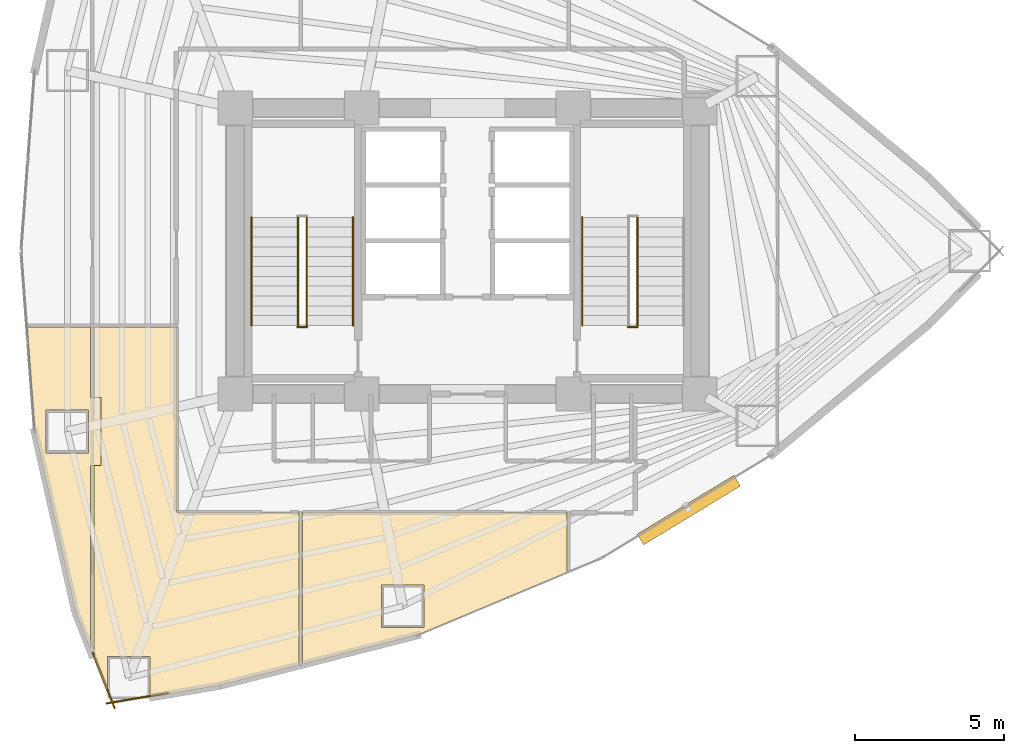
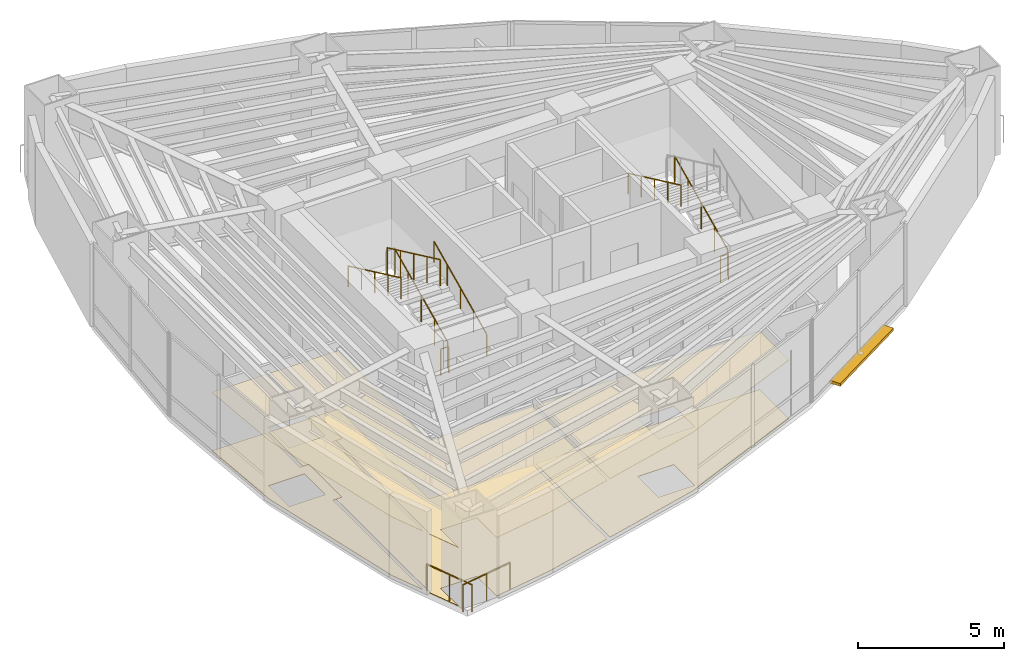
# One storey, part 16 of 17: 10 railings, 6 coverings, 1 shading device.
"""IFC4 building model written with IfcOpenShell, lengths in metres."""

from ifc_helpers import new_model, si_unit, direction, frame, origin, origin_2d, place, context, subcontext, project, spatial, polyline, rectangle, circle, outline, extrude, material, layer, layer_set, type_object, element, save


model = new_model("IFC4")

# Units and contexts
model_context = context("Model", 3, precision=1e-05, world=origin(), true_north=direction((0.0, 1.0)))
body_context = subcontext(model_context, "Body", "Model", "MODEL_VIEW")
ifc_project = project(units=[si_unit("LENGTHUNIT", "METRE"), si_unit("AREAUNIT", "SQUARE_METRE"), si_unit("VOLUMEUNIT", "CUBIC_METRE"), si_unit("PLANEANGLEUNIT", "RADIAN"), si_unit("MASSUNIT", "GRAM", prefix="KILO")], contexts=[model_context])

# Site, building, storey
site_placement = place(None, origin())
site = spatial("IfcSite", under=ifc_project, at=site_placement, CompositionType="ELEMENT")
building_placement = place(site_placement, origin())
building = spatial("IfcBuilding", under=site, at=building_placement, Name="Menara Vayukalpa", CompositionType="ELEMENT")
storey_placement = place(building_placement, frame((0.0, 0.0, 46.199951171875)))
storey = spatial("IfcBuildingStorey", under=building, at=storey_placement, Name="L10", CompositionType="ELEMENT", Elevation=46.199951171875)

# Coverings
ifc_material_1 = material(Name="Mineral Fibre Acoustic Ceiling Tile", Category="masonry")
ifc_layer_1 = layer(ifc_material_1, 0.02490234375)
ifc_layer_set_1 = layer_set([ifc_layer_1], Name="Mineral Fibre Acoustic Ceiling Tile")
covering_type_1 = type_object("IfcCoveringType", Name="COV-CLG1", PredefinedType="CEILING", material=ifc_layer_set_1)
covering_1_placement = place(storey_placement, frame((0.0, 0.0, 2.449951171875)))
element("IfcCovering", 1, at=covering_1_placement, inside=storey, type_object=covering_type_1, Name="L10 Corporate Training Classroom Acoustic Ceiling", PredefinedType="CEILING", context=body_context, shape_type="SweptSolid", body=[
    extrude(outline(polyline([(12.43701171875, 9.884521484375), (11.07421875, 15.941162109375), (11.073974609375, 15.942626953125), (10.8125, 19.42919921875), (10.8125, 19.43017578125), (10.8125, 19.43115234375), (10.812744140625, 19.43212890625), (10.81298828125, 19.43310546875), (10.813232421875, 19.43408203125), (10.813720703125, 19.434814453125), (10.814208984375, 19.435791015625), (10.814697265625, 19.436279296875), (10.8154296875, 19.43701171875), (10.816162109375, 19.437744140625), (10.81689453125, 19.4384765625), (10.81787109375, 19.43896484375), (10.818603515625, 19.439208984375), (10.819580078125, 19.439697265625), (10.820556640625, 19.439697265625), (10.821533203125, 19.43994140625), (10.822509765625, 19.43994140625), (12.929931640625, 19.43994140625), (12.930908203125, 19.43994140625), (12.931884765625, 19.439697265625), (12.932861328125, 19.439697265625), (12.933837890625, 19.439208984375), (12.934814453125, 19.438720703125), (12.935546875, 19.438232421875), (12.936279296875, 19.437744140625), (12.93701171875, 19.43701171875), (12.937744140625, 19.436279296875), (12.938232421875, 19.435546875), (12.938720703125, 19.434814453125), (12.939208984375, 19.433837890625), (12.939697265625, 19.432861328125), (12.939697265625, 19.431884765625), (12.93994140625, 19.430908203125), (12.93994140625, 19.429931640625), (12.93994140625, 17.075439453125), (13.29931640625, 17.075439453125), (13.29931640625, 14.805419921875), (12.93994140625, 14.805419921875), (12.93994140625, 8.65625), (12.93994140625, 8.6552734375), (12.939697265625, 8.654296875), (12.939697265625, 8.6533203125), (12.939208984375, 8.65234375), (12.938720703125, 8.651611328125), (12.938232421875, 8.650634765625), (12.937744140625, 8.64990234375), (12.93701171875, 8.649169921875), (12.936279296875, 8.6484375), (12.935546875, 8.64794921875), (12.9345703125, 8.6474609375), (12.933837890625, 8.64697265625), (12.932861328125, 8.646728515625), (12.931884765625, 8.646484375), (12.930908203125, 8.646240234375), (12.929931640625, 8.646240234375), (12.928955078125, 8.646484375), (12.927978515625, 8.646484375), (12.927001953125, 8.646728515625), (12.926025390625, 8.647216796875), (12.92529296875, 8.6474609375), (12.92431640625, 8.648193359375), (12.923583984375, 8.648681640625), (12.9228515625, 8.6494140625), (12.922119140625, 8.650146484375), (12.921630859375, 8.65087890625), (12.921142578125, 8.651611328125), (12.920654296875, 8.652587890625), (12.4375, 9.883056640625), (12.437255859375, 9.8837890625), (12.43701171875, 9.884521484375)]), holes=[polyline([(12.879150390625, 16.655517578125), (11.44921875, 16.655517578125), (11.44921875, 15.225341796875), (12.879150390625, 15.225341796875), (12.879150390625, 16.655517578125)])]), origin(), (0.0, 0.0, 1.0), 0.025146484375),
])
covering_2_placement = place(storey_placement, frame((0.0, 0.0, 2.449951171875)))
element("IfcCovering", 2, at=covering_2_placement, inside=storey, type_object=covering_type_1, Name="L10 Corporate Training Classroom Acoustic Ceiling", PredefinedType="CEILING", context=body_context, shape_type="SweptSolid", body=[
    extrude(outline(polyline([(13.041748046875, 8.344482421875), (13.04150390625, 8.345458984375), (13.041015625, 8.346435546875), (13.041015625, 8.347412109375), (13.041015625, 8.348388671875), (13.041015625, 8.349609375), (13.041259765625, 8.3505859375), (13.04150390625, 8.3515625), (13.0419921875, 8.352294921875), (13.04248046875, 8.353271484375), (13.04296875, 8.354248046875), (13.043701171875, 8.35498046875), (13.04638671875, 8.35791015625), (13.0498046875, 8.36279296875), (13.052978515625, 8.36767578125), (13.055419921875, 8.373046875), (13.057373046875, 8.378662109375), (13.058837890625, 8.384521484375), (13.059814453125, 8.39013671875), (13.06005859375, 8.396240234375), (13.06005859375, 14.805419921875), (11.606689453125, 14.805419921875), (11.51220703125, 15.225341796875), (12.879150390625, 15.225341796875), (12.879150390625, 16.655517578125), (11.44921875, 16.655517578125), (11.44921875, 15.5048828125), (11.341796875, 15.981689453125), (11.260009765625, 17.075439453125), (13.06005859375, 17.075439453125), (13.06005859375, 19.429931640625), (13.06005859375, 19.430908203125), (13.060302734375, 19.431884765625), (13.060302734375, 19.432861328125), (13.060791015625, 19.433837890625), (13.061279296875, 19.434814453125), (13.061767578125, 19.435546875), (13.062255859375, 19.436279296875), (13.06298828125, 19.43701171875), (13.063720703125, 19.437744140625), (13.064453125, 19.438232421875), (13.065185546875, 19.438720703125), (13.066162109375, 19.439208984375), (13.067138671875, 19.439697265625), (13.068115234375, 19.439697265625), (13.069091796875, 19.43994140625), (13.070068359375, 19.43994140625), (15.820068359375, 19.43994140625), (15.821044921875, 19.43994140625), (15.822021484375, 19.439697265625), (15.822998046875, 19.439697265625), (15.82373046875, 19.439208984375), (15.82470703125, 19.438720703125), (15.82568359375, 19.438232421875), (15.826416015625, 19.437744140625), (15.8271484375, 19.43701171875), (15.82763671875, 19.436279296875), (15.828369140625, 19.435546875), (15.828857421875, 19.434814453125), (15.8291015625, 19.433837890625), (15.82958984375, 19.432861328125), (15.829833984375, 19.431884765625), (15.830078125, 19.430908203125), (15.830078125, 19.429931640625), (15.830078125, 13.290283203125), (15.830322265625, 13.283203125), (15.831298828125, 13.2763671875), (15.8330078125, 13.269775390625), (15.835205078125, 13.26318359375), (15.838134765625, 13.257080078125), (15.841796875, 13.251220703125), (15.845947265625, 13.24560546875), (15.8505859375, 13.240478515625), (15.85546875, 13.236083984375), (15.861083984375, 13.231689453125), (15.866943359375, 13.228271484375), (15.873291015625, 13.225341796875), (15.879638671875, 13.222900390625), (15.88623046875, 13.22119140625), (15.893310546875, 13.220458984375), (15.900390625, 13.219970703125), (19.929931640625, 13.219970703125), (19.930908203125, 13.219970703125), (19.931884765625, 13.2197265625), (19.932861328125, 13.219482421875), (19.933837890625, 13.21923828125), (19.934814453125, 13.21875), (19.935546875, 13.21826171875), (19.936279296875, 13.2177734375), (19.93701171875, 13.217041015625), (19.937744140625, 13.21630859375), (19.938232421875, 13.215576171875), (19.938720703125, 13.214599609375), (19.939208984375, 13.2138671875), (19.939697265625, 13.212890625), (19.939697265625, 13.2119140625), (19.93994140625, 13.2109375), (19.93994140625, 13.2099609375), (19.93994140625, 8.100341796875), (19.93994140625, 8.099365234375), (19.939697265625, 8.098388671875), (19.939453125, 8.097412109375), (19.939208984375, 8.096435546875), (19.938720703125, 8.095458984375), (19.938232421875, 8.0947265625), (19.9375, 8.093994140625), (19.93701171875, 8.093017578125), (19.93603515625, 8.092529296875), (19.935302734375, 8.091796875), (19.934326171875, 8.09130859375), (19.933349609375, 8.091064453125), (19.9326171875, 8.0908203125), (17.285888671875, 7.415771484375), (17.28515625, 7.41552734375), (14.9326171875, 7.01611328125), (14.9326171875, 8.380615234375), (13.502685546875, 8.380615234375), (13.502685546875, 7.1708984375), (13.041748046875, 8.344482421875)])), origin(), (0.0, 0.0, 1.0), 0.025146484375),
])
covering_3_placement = place(storey_placement, frame((0.0, 0.0, 2.449951171875)))
element("IfcCovering", 3, at=covering_3_placement, inside=storey, type_object=covering_type_1, Name="L10 Corporate Training Classroom Acoustic Ceiling", PredefinedType="CEILING", context=body_context, shape_type="SweptSolid", body=[
    extrude(outline(polyline([(20.072509765625, 8.12646484375), (20.071533203125, 8.126220703125), (20.070556640625, 8.126220703125), (20.069580078125, 8.126220703125), (20.068603515625, 8.126220703125), (20.067626953125, 8.12646484375), (20.06689453125, 8.126708984375), (20.06591796875, 8.126953125), (20.065185546875, 8.12744140625), (20.064208984375, 8.1279296875), (20.0634765625, 8.12841796875), (20.062744140625, 8.129150390625), (20.062255859375, 8.1298828125), (20.0615234375, 8.130615234375), (20.06103515625, 8.131591796875), (20.060791015625, 8.13232421875), (20.060302734375, 8.13330078125), (20.060302734375, 8.13427734375), (20.06005859375, 8.135009765625), (20.06005859375, 8.135986328125), (20.06005859375, 13.2099609375), (20.06005859375, 13.2109375), (20.060302734375, 13.2119140625), (20.060302734375, 13.212890625), (20.060791015625, 13.2138671875), (20.061279296875, 13.214599609375), (20.061767578125, 13.215576171875), (20.062255859375, 13.21630859375), (20.06298828125, 13.217041015625), (20.063720703125, 13.2177734375), (20.064453125, 13.21826171875), (20.065185546875, 13.21875), (20.066162109375, 13.21923828125), (20.067138671875, 13.219482421875), (20.068115234375, 13.2197265625), (20.069091796875, 13.219970703125), (20.070068359375, 13.219970703125), (28.929931640625, 13.219970703125), (28.930908203125, 13.219970703125), (28.931884765625, 13.2197265625), (28.932861328125, 13.219482421875), (28.933837890625, 13.21923828125), (28.934814453125, 13.21875), (28.935546875, 13.21826171875), (28.936279296875, 13.2177734375), (28.93701171875, 13.217041015625), (28.937744140625, 13.21630859375), (28.938232421875, 13.215576171875), (28.938720703125, 13.214599609375), (28.939208984375, 13.2138671875), (28.939697265625, 13.212890625), (28.939697265625, 13.2119140625), (28.93994140625, 13.2109375), (28.93994140625, 13.2099609375), (28.93994140625, 11.21484375), (28.93994140625, 11.2138671875), (28.939697265625, 11.212890625), (28.939697265625, 11.2119140625), (28.939208984375, 11.211181640625), (28.938720703125, 11.210205078125), (28.938232421875, 11.20947265625), (28.937744140625, 11.20849609375), (28.93701171875, 11.207763671875), (28.936279296875, 11.207275390625), (28.935546875, 11.20654296875), (28.934814453125, 11.2060546875), (28.933837890625, 11.205810546875), (23.916015625, 9.106689453125), (23.914794921875, 9.106201171875), (20.072509765625, 8.12646484375)]), holes=[polyline([(24.134521484375, 10.792236328125), (22.704345703125, 10.792236328125), (22.704345703125, 9.3623046875), (24.134521484375, 9.3623046875), (24.134521484375, 10.792236328125)])]), origin(), (0.0, 0.0, 1.0), 0.025146484375),
])
ifc_material_2 = material(Name="Porcelain Stoneware Floor Tile", Category="masonry")
ifc_layer_2 = layer(ifc_material_2, 0.02001953125)
ifc_layer_set_2 = layer_set([ifc_layer_2], Name="Porcelain Stoneware Floor Tile")
covering_type_2 = type_object("IfcCoveringType", Name="COV-FLR1", PredefinedType="FLOORING", material=ifc_layer_set_2)
covering_4_placement = place(storey_placement, origin())
element("IfcCovering", 4, at=covering_4_placement, inside=storey, type_object=covering_type_2, Name="L10 Corporate Training Classroom Porcelain Flooring", PredefinedType="FLOORING", context=body_context, shape_type="SweptSolid", body=[
    extrude(outline(polyline([(12.43701171875, 9.884521484375), (11.07421875, 15.941162109375), (11.073974609375, 15.942626953125), (10.8125, 19.42919921875), (10.8125, 19.43017578125), (10.8125, 19.43115234375), (10.812744140625, 19.43212890625), (10.81298828125, 19.43310546875), (10.813232421875, 19.43408203125), (10.813720703125, 19.434814453125), (10.814208984375, 19.435791015625), (10.814697265625, 19.436279296875), (10.8154296875, 19.43701171875), (10.816162109375, 19.437744140625), (10.81689453125, 19.4384765625), (10.81787109375, 19.43896484375), (10.818603515625, 19.439208984375), (10.819580078125, 19.439697265625), (10.820556640625, 19.439697265625), (10.821533203125, 19.43994140625), (10.822509765625, 19.43994140625), (12.929931640625, 19.43994140625), (12.930908203125, 19.43994140625), (12.931884765625, 19.439697265625), (12.932861328125, 19.439697265625), (12.933837890625, 19.439208984375), (12.934814453125, 19.438720703125), (12.935546875, 19.438232421875), (12.936279296875, 19.437744140625), (12.93701171875, 19.43701171875), (12.937744140625, 19.436279296875), (12.938232421875, 19.435546875), (12.938720703125, 19.434814453125), (12.939208984375, 19.433837890625), (12.939697265625, 19.432861328125), (12.939697265625, 19.431884765625), (12.93994140625, 19.430908203125), (12.93994140625, 19.429931640625), (12.93994140625, 17.075439453125), (13.29931640625, 17.075439453125), (13.29931640625, 14.805419921875), (12.93994140625, 14.805419921875), (12.93994140625, 8.65625), (12.93994140625, 8.6552734375), (12.939697265625, 8.654296875), (12.939697265625, 8.6533203125), (12.939208984375, 8.65234375), (12.938720703125, 8.651611328125), (12.938232421875, 8.650634765625), (12.937744140625, 8.64990234375), (12.93701171875, 8.649169921875), (12.936279296875, 8.6484375), (12.935546875, 8.64794921875), (12.9345703125, 8.6474609375), (12.933837890625, 8.64697265625), (12.932861328125, 8.646728515625), (12.931884765625, 8.646484375), (12.930908203125, 8.646240234375), (12.929931640625, 8.646240234375), (12.928955078125, 8.646484375), (12.927978515625, 8.646484375), (12.927001953125, 8.646728515625), (12.926025390625, 8.647216796875), (12.92529296875, 8.6474609375), (12.92431640625, 8.648193359375), (12.923583984375, 8.648681640625), (12.9228515625, 8.6494140625), (12.922119140625, 8.650146484375), (12.921630859375, 8.65087890625), (12.921142578125, 8.651611328125), (12.920654296875, 8.652587890625), (12.4375, 9.883056640625), (12.437255859375, 9.8837890625), (12.43701171875, 9.884521484375)]), holes=[polyline([(12.879150390625, 16.655517578125), (11.44921875, 16.655517578125), (11.44921875, 15.225341796875), (12.879150390625, 15.225341796875), (12.879150390625, 16.655517578125)])]), origin(), (0.0, 0.0, 1.0), 0.02001953125),
])
covering_5_placement = place(storey_placement, origin())
element("IfcCovering", 5, at=covering_5_placement, inside=storey, type_object=covering_type_2, Name="L10 Corporate Training Classroom Porcelain Flooring", PredefinedType="FLOORING", context=body_context, shape_type="SweptSolid", body=[
    extrude(outline(polyline([(13.041748046875, 8.344482421875), (13.04150390625, 8.345458984375), (13.041015625, 8.346435546875), (13.041015625, 8.347412109375), (13.041015625, 8.348388671875), (13.041015625, 8.349609375), (13.041259765625, 8.3505859375), (13.04150390625, 8.3515625), (13.0419921875, 8.352294921875), (13.04248046875, 8.353271484375), (13.04296875, 8.354248046875), (13.043701171875, 8.35498046875), (13.04638671875, 8.35791015625), (13.0498046875, 8.36279296875), (13.052978515625, 8.36767578125), (13.055419921875, 8.373046875), (13.057373046875, 8.378662109375), (13.058837890625, 8.384521484375), (13.059814453125, 8.39013671875), (13.06005859375, 8.396240234375), (13.06005859375, 14.805419921875), (11.606689453125, 14.805419921875), (11.51220703125, 15.225341796875), (12.879150390625, 15.225341796875), (12.879150390625, 16.655517578125), (11.44921875, 16.655517578125), (11.44921875, 15.5048828125), (11.341796875, 15.981689453125), (11.260009765625, 17.075439453125), (13.06005859375, 17.075439453125), (13.06005859375, 19.429931640625), (13.06005859375, 19.430908203125), (13.060302734375, 19.431884765625), (13.060302734375, 19.432861328125), (13.060791015625, 19.433837890625), (13.061279296875, 19.434814453125), (13.061767578125, 19.435546875), (13.062255859375, 19.436279296875), (13.06298828125, 19.43701171875), (13.063720703125, 19.437744140625), (13.064453125, 19.438232421875), (13.065185546875, 19.438720703125), (13.066162109375, 19.439208984375), (13.067138671875, 19.439697265625), (13.068115234375, 19.439697265625), (13.069091796875, 19.43994140625), (13.070068359375, 19.43994140625), (15.820068359375, 19.43994140625), (15.821044921875, 19.43994140625), (15.822021484375, 19.439697265625), (15.822998046875, 19.439697265625), (15.82373046875, 19.439208984375), (15.82470703125, 19.438720703125), (15.82568359375, 19.438232421875), (15.826416015625, 19.437744140625), (15.8271484375, 19.43701171875), (15.82763671875, 19.436279296875), (15.828369140625, 19.435546875), (15.828857421875, 19.434814453125), (15.8291015625, 19.433837890625), (15.82958984375, 19.432861328125), (15.829833984375, 19.431884765625), (15.830078125, 19.430908203125), (15.830078125, 19.429931640625), (15.830078125, 13.290283203125), (15.830322265625, 13.283203125), (15.831298828125, 13.2763671875), (15.8330078125, 13.269775390625), (15.835205078125, 13.26318359375), (15.838134765625, 13.257080078125), (15.841796875, 13.251220703125), (15.845947265625, 13.24560546875), (15.8505859375, 13.240478515625), (15.85546875, 13.236083984375), (15.861083984375, 13.231689453125), (15.866943359375, 13.228271484375), (15.873291015625, 13.225341796875), (15.879638671875, 13.222900390625), (15.88623046875, 13.22119140625), (15.893310546875, 13.220458984375), (15.900390625, 13.219970703125), (19.929931640625, 13.219970703125), (19.930908203125, 13.219970703125), (19.931884765625, 13.2197265625), (19.932861328125, 13.219482421875), (19.933837890625, 13.21923828125), (19.934814453125, 13.21875), (19.935546875, 13.21826171875), (19.936279296875, 13.2177734375), (19.93701171875, 13.217041015625), (19.937744140625, 13.21630859375), (19.938232421875, 13.215576171875), (19.938720703125, 13.214599609375), (19.939208984375, 13.2138671875), (19.939697265625, 13.212890625), (19.939697265625, 13.2119140625), (19.93994140625, 13.2109375), (19.93994140625, 13.2099609375), (19.93994140625, 8.100341796875), (19.93994140625, 8.099365234375), (19.939697265625, 8.098388671875), (19.939453125, 8.097412109375), (19.939208984375, 8.096435546875), (19.938720703125, 8.095458984375), (19.938232421875, 8.0947265625), (19.9375, 8.093994140625), (19.93701171875, 8.093017578125), (19.93603515625, 8.092529296875), (19.935302734375, 8.091796875), (19.934326171875, 8.09130859375), (19.933349609375, 8.091064453125), (19.9326171875, 8.0908203125), (17.285888671875, 7.415771484375), (17.28515625, 7.41552734375), (14.9326171875, 7.01611328125), (14.9326171875, 8.380615234375), (13.502685546875, 8.380615234375), (13.502685546875, 7.1708984375), (13.041748046875, 8.344482421875)])), origin(), (0.0, 0.0, 1.0), 0.02001953125),
])
covering_6_placement = place(storey_placement, origin())
element("IfcCovering", 6, at=covering_6_placement, inside=storey, type_object=covering_type_2, Name="L10 Corporate Training Classroom Porcelain Flooring", PredefinedType="FLOORING", context=body_context, shape_type="SweptSolid", body=[
    extrude(outline(polyline([(20.072509765625, 8.12646484375), (20.071533203125, 8.126220703125), (20.070556640625, 8.126220703125), (20.069580078125, 8.126220703125), (20.068603515625, 8.126220703125), (20.067626953125, 8.12646484375), (20.06689453125, 8.126708984375), (20.06591796875, 8.126953125), (20.065185546875, 8.12744140625), (20.064208984375, 8.1279296875), (20.0634765625, 8.12841796875), (20.062744140625, 8.129150390625), (20.062255859375, 8.1298828125), (20.0615234375, 8.130615234375), (20.06103515625, 8.131591796875), (20.060791015625, 8.13232421875), (20.060302734375, 8.13330078125), (20.060302734375, 8.13427734375), (20.06005859375, 8.135009765625), (20.06005859375, 8.135986328125), (20.06005859375, 13.2099609375), (20.06005859375, 13.2109375), (20.060302734375, 13.2119140625), (20.060302734375, 13.212890625), (20.060791015625, 13.2138671875), (20.061279296875, 13.214599609375), (20.061767578125, 13.215576171875), (20.062255859375, 13.21630859375), (20.06298828125, 13.217041015625), (20.063720703125, 13.2177734375), (20.064453125, 13.21826171875), (20.065185546875, 13.21875), (20.066162109375, 13.21923828125), (20.067138671875, 13.219482421875), (20.068115234375, 13.2197265625), (20.069091796875, 13.219970703125), (20.070068359375, 13.219970703125), (28.929931640625, 13.219970703125), (28.930908203125, 13.219970703125), (28.931884765625, 13.2197265625), (28.932861328125, 13.219482421875), (28.933837890625, 13.21923828125), (28.934814453125, 13.21875), (28.935546875, 13.21826171875), (28.936279296875, 13.2177734375), (28.93701171875, 13.217041015625), (28.937744140625, 13.21630859375), (28.938232421875, 13.215576171875), (28.938720703125, 13.214599609375), (28.939208984375, 13.2138671875), (28.939697265625, 13.212890625), (28.939697265625, 13.2119140625), (28.93994140625, 13.2109375), (28.93994140625, 13.2099609375), (28.93994140625, 11.21484375), (28.93994140625, 11.2138671875), (28.939697265625, 11.212890625), (28.939697265625, 11.2119140625), (28.939208984375, 11.211181640625), (28.938720703125, 11.210205078125), (28.938232421875, 11.20947265625), (28.937744140625, 11.20849609375), (28.93701171875, 11.207763671875), (28.936279296875, 11.207275390625), (28.935546875, 11.20654296875), (28.934814453125, 11.2060546875), (28.933837890625, 11.205810546875), (23.916015625, 9.106689453125), (23.914794921875, 9.106201171875), (20.072509765625, 8.12646484375)]), holes=[polyline([(24.134521484375, 10.792236328125), (22.704345703125, 10.792236328125), (22.704345703125, 9.3623046875), (24.134521484375, 9.3623046875), (24.134521484375, 10.792236328125)])]), origin(), (0.0, 0.0, 1.0), 0.02001953125),
])

# Railings
ifc_material_3 = material(Name="Laminated Glass and Stainless Steel 316 Guardrail", Category="steel")
railing_type_1 = type_object("IfcRailingType", Name="RLG-EXT115", PredefinedType="GUARDRAIL", material=ifc_material_3)
railing_1_placement = place(storey_placement, frame((13.02099609375, 8.50634765625, 0.0)))
element("IfcRailing", 7, at=railing_1_placement, inside=storey, type_object=railing_type_1, Name="L10 Column Corner Spandrel Guardrail 13-1", PredefinedType="GUARDRAIL", context=body_context, shape_type="SweptSolid", body=[
    extrude(circle(Radius=0.02392578125, at=origin_2d()), frame((0.0, 0.0, 1.1259765625), z_axis=(0.365580158762, -0.930779859859, 0.0), x_axis=(0.930779859859, 0.365580158762, 0.0)), (0.0, 0.0, 1.0), 1.9873046875),
    extrude(circle(Radius=0.02099609375, at=origin_2d()), origin(), (0.0, 0.0, 1.0), 1.101806640625),
    extrude(circle(Radius=0.02099609375, at=origin_2d()), frame((0.36328125, -0.9248046875, 0.0)), (0.0, 0.0, 1.0), 1.101806640625),
    extrude(circle(Radius=0.02099609375, at=origin_2d()), frame((0.7265625, -1.849853515625, 0.0)), (0.0, 0.0, 1.0), 1.101806640625),
])
railing_2_placement = place(storey_placement, frame((13.4765625, 6.8095703125, 0.0)))
element("IfcRailing", 8, at=railing_2_placement, inside=storey, type_object=railing_type_1, Name="L10 Column Corner Spandrel Guardrail 14-1", PredefinedType="GUARDRAIL", context=body_context, shape_type="SweptSolid", body=[
    extrude(circle(Radius=0.02392578125, at=origin_2d()), frame((0.0, 0.0, 1.1259765625), z_axis=(0.985904350491, 0.167309927029, 0.0), x_axis=(-0.167309927029, 0.985904350491, 0.0)), (0.0, 0.0, 1.0), 2.093994140625),
    extrude(circle(Radius=0.02099609375, at=origin_2d()), origin(), (0.0, 0.0, 1.0), 1.101806640625),
    extrude(circle(Radius=0.02099609375, at=origin_2d()), frame((1.0322265625, 0.17529296875, 0.0)), (0.0, 0.0, 1.0), 1.101806640625),
    extrude(circle(Radius=0.02099609375, at=origin_2d()), frame((2.064453125, 0.350341796875, 0.0)), (0.0, 0.0, 1.0), 1.101806640625),
])
ifc_material_4 = material(Name="Powder-Coated Galvanised Steel Guardrail", Category="steel")
railing_type_2 = type_object("IfcRailingType", Name="RLG-STG110", PredefinedType="GUARDRAIL", material=ifc_material_4)
railing_3_placement = place(storey_placement, frame((20.199951171875, 19.5, 0.155029296875)))
element("IfcRailing", 9, at=railing_3_placement, inside=storey, type_object=railing_type_2, Name="L10 ST-1 stair guard 1", PredefinedType="GUARDRAIL", context=body_context, shape_type="SweptSolid", body=[
    extrude(circle(Radius=0.02392578125, at=origin_2d()), frame((0.0, 0.0, 1.09619140625), z_axis=(0.0, 0.90511648382, 0.425163675209), x_axis=(-1.0, 0.0, 0.0)), (0.0, 0.0, 1.0), 4.010498046875),
    extrude(circle(Radius=0.02099609375, at=origin_2d()), origin(), (0.0, 0.0, 1.0), 1.072021484375),
    extrude(circle(Radius=0.02099609375, at=origin_2d()), frame((0.0, 0.907470703125, 0.42626953125)), (0.0, 0.0, 1.0), 1.072021484375),
    extrude(circle(Radius=0.02099609375, at=origin_2d()), frame((0.0, 1.81494140625, 0.8525390625)), (0.0, 0.0, 1.0), 1.072021484375),
    extrude(circle(Radius=0.02099609375, at=origin_2d()), frame((0.0, 2.722412109375, 1.27880859375)), (0.0, 0.0, 1.0), 1.072021484375),
    extrude(circle(Radius=0.02099609375, at=origin_2d()), frame((0.0, 3.6298828125, 1.705078125)), (0.0, 0.0, 1.0), 1.072021484375),
])
railing_4_placement = place(storey_placement, frame((19.89990234375, 23.1298828125, 2.01513671875)))
element("IfcRailing", 10, at=railing_4_placement, inside=storey, type_object=railing_type_2, Name="L10 ST-1 stair guard 3", PredefinedType="GUARDRAIL", context=body_context, shape_type="SweptSolid", body=[
    extrude(circle(Radius=0.02392578125, at=origin_2d()), frame((0.0, 0.0, 1.09619140625), z_axis=(0.0, -0.90513990983, 0.425113800803), x_axis=(1.0, 0.0, 0.0)), (0.0, 0.0, 1.0), 4.01025390625),
    extrude(circle(Radius=0.02099609375, at=origin_2d()), origin(), (0.0, 0.0, 1.0), 1.072021484375),
    extrude(circle(Radius=0.02099609375, at=origin_2d()), frame((0.0, -0.907470703125, 0.42626953125)), (0.0, 0.0, 1.0), 1.072021484375),
    extrude(circle(Radius=0.02099609375, at=origin_2d()), frame((0.0, -1.81494140625, 0.8525390625)), (0.0, 0.0, 1.0), 1.072021484375),
    extrude(circle(Radius=0.02099609375, at=origin_2d()), frame((0.0, -2.722412109375, 1.278564453125)), (0.0, 0.0, 1.0), 1.072021484375),
    extrude(circle(Radius=0.02099609375, at=origin_2d()), frame((0.0, -3.6298828125, 1.704833984375)), (0.0, 0.0, 1.0), 1.072021484375),
])
railing_5_placement = place(storey_placement, frame((20.2099609375, 19.449951171875, 0.0)))
element("IfcRailing", 11, at=railing_5_placement, inside=storey, type_object=railing_type_2, Name="L10 ST-1 stair guard 4", PredefinedType="GUARDRAIL", context=body_context, shape_type="SweptSolid", body=[
    extrude(circle(Radius=0.02392578125, at=origin_2d()), frame((0.0, 0.0, 1.09619140625), z_axis=(-1.0, 0.0, 0.0), x_axis=(0.0, -1.0, 0.0)), (0.0, 0.0, 1.0), 0.320068359375),
    extrude(circle(Radius=0.02099609375, at=origin_2d()), origin(), (0.0, 0.0, 1.0), 1.072021484375),
    extrude(circle(Radius=0.02099609375, at=origin_2d()), frame((-0.320068359375, 0.0, 0.0)), (0.0, 0.0, 1.0), 1.072021484375),
])
railing_6_placement = place(storey_placement, frame((31.300048828125, 19.5, 0.155029296875)))
element("IfcRailing", 12, at=railing_6_placement, inside=storey, type_object=railing_type_2, Name="L10 ST-2 stair guard 1", PredefinedType="GUARDRAIL", context=body_context, shape_type="SweptSolid", body=[
    extrude(circle(Radius=0.02392578125, at=origin_2d()), frame((0.0, 0.0, 1.09619140625), z_axis=(0.0, 0.90511648382, 0.425163675209), x_axis=(-1.0, 0.0, 0.0)), (0.0, 0.0, 1.0), 4.010498046875),
    extrude(circle(Radius=0.02099609375, at=origin_2d()), origin(), (0.0, 0.0, 1.0), 1.072021484375),
    extrude(circle(Radius=0.02099609375, at=origin_2d()), frame((0.0, 0.907470703125, 0.42626953125)), (0.0, 0.0, 1.0), 1.072021484375),
    extrude(circle(Radius=0.02099609375, at=origin_2d()), frame((0.0, 1.81494140625, 0.8525390625)), (0.0, 0.0, 1.0), 1.072021484375),
    extrude(circle(Radius=0.02099609375, at=origin_2d()), frame((0.0, 2.722412109375, 1.27880859375)), (0.0, 0.0, 1.0), 1.072021484375),
    extrude(circle(Radius=0.02099609375, at=origin_2d()), frame((0.0, 3.6298828125, 1.705078125)), (0.0, 0.0, 1.0), 1.072021484375),
])
railing_7_placement = place(storey_placement, frame((31.31005859375, 19.449951171875, 0.0)))
element("IfcRailing", 13, at=railing_7_placement, inside=storey, type_object=railing_type_2, Name="L10 ST-2 stair guard 4", PredefinedType="GUARDRAIL", context=body_context, shape_type="SweptSolid", body=[
    extrude(circle(Radius=0.02392578125, at=origin_2d()), frame((0.0, 0.0, 1.09619140625), z_axis=(-1.0, 0.0, 0.0), x_axis=(0.0, -1.0, 0.0)), (0.0, 0.0, 1.0), 0.320068359375),
    extrude(circle(Radius=0.02099609375, at=origin_2d()), origin(), (0.0, 0.0, 1.0), 1.072021484375),
    extrude(circle(Radius=0.02099609375, at=origin_2d()), frame((-0.320068359375, 0.0, 0.0)), (0.0, 0.0, 1.0), 1.072021484375),
])
ifc_material_5 = material(Name="Stainless Steel 316 Tubular Handrail", Category="steel")
railing_type_3 = type_object("IfcRailingType", Name="RLG-STH090", PredefinedType="HANDRAIL", material=ifc_material_5)
railing_8_placement = place(storey_placement, frame((21.75, 19.5, 0.155029296875)))
element("IfcRailing", 14, at=railing_8_placement, inside=storey, type_object=railing_type_3, Name="L10 ST-1 stair handrail 1", PredefinedType="HANDRAIL", context=body_context, shape_type="SweptSolid", body=[
    extrude(circle(Radius=0.02392578125, at=origin_2d()), frame((0.0, 0.0, 0.8759765625), z_axis=(0.0, 0.90511648382, 0.425163675209), x_axis=(-1.0, 0.0, 0.0)), (0.0, 0.0, 1.0), 4.010498046875),
    extrude(circle(Radius=0.02099609375, at=origin_2d()), origin(), (0.0, 0.0, 1.0), 0.851806640625),
    extrude(circle(Radius=0.02099609375, at=origin_2d()), frame((0.0, 0.907470703125, 0.42626953125)), (0.0, 0.0, 1.0), 0.851806640625),
    extrude(circle(Radius=0.02099609375, at=origin_2d()), frame((0.0, 1.81494140625, 0.8525390625)), (0.0, 0.0, 1.0), 0.851806640625),
    extrude(circle(Radius=0.02099609375, at=origin_2d()), frame((0.0, 2.722412109375, 1.27880859375)), (0.0, 0.0, 1.0), 0.851806640625),
    extrude(circle(Radius=0.02099609375, at=origin_2d()), frame((0.0, 3.6298828125, 1.705078125)), (0.0, 0.0, 1.0), 0.851806640625),
])
for number, where, name in (
    (15, (18.35009765625, 23.1298828125, 2.01513671875), "L10 ST-1 stair handrail 2"),
    (16, (29.449951171875, 23.1298828125, 2.01513671875), "L10 ST-2 stair handrail 2"),
):
    element("IfcRailing", number, at=place(storey_placement, frame(where)), inside=storey, type_object=railing_type_3, Name=name, PredefinedType="HANDRAIL", context=body_context, shape_type="SweptSolid", body=[
        extrude(circle(Radius=0.02392578125, at=origin_2d()), frame((0.0, 0.0, 0.8759765625), z_axis=(0.0, -0.90513990983, 0.425113800803), x_axis=(1.0, 0.0, 0.0)), (0.0, 0.0, 1.0), 4.01025390625),
        extrude(circle(Radius=0.02099609375, at=origin_2d()), origin(), (0.0, 0.0, 1.0), 0.851806640625),
        extrude(circle(Radius=0.02099609375, at=origin_2d()), frame((0.0, -0.907470703125, 0.42626953125)), (0.0, 0.0, 1.0), 0.851806640625),
        extrude(circle(Radius=0.02099609375, at=origin_2d()), frame((0.0, -1.81494140625, 0.8525390625)), (0.0, 0.0, 1.0), 0.851806640625),
        extrude(circle(Radius=0.02099609375, at=origin_2d()), frame((0.0, -2.722412109375, 1.278564453125)), (0.0, 0.0, 1.0), 0.851806640625),
        extrude(circle(Radius=0.02099609375, at=origin_2d()), frame((0.0, -3.6298828125, 1.704833984375)), (0.0, 0.0, 1.0), 0.851806640625),
    ])

# Shading device
ifc_material_6 = material(Name="Glazed Terracotta Ceramic Baguette Extrusion", Category="masonry")
ifc_layer_3 = layer(ifc_material_6, 0.1201171875)
ifc_layer_set_3 = layer_set([ifc_layer_3], Name="Glazed Terracotta Ceramic Baguette Extrusion")
shading_device_type = type_object("IfcShadingDeviceType", Name="SHD-SS1", PredefinedType="USERDEFINED", material=ifc_layer_set_3)
shading_device_placement = place(storey_placement, frame((33.02880859375, 13.298828125, -0.10009765625), z_axis=(0.0, 0.0, 1.0), x_axis=(0.85466730962, 0.519176068272, 0.0)))
element("IfcShadingDevice", 17, at=shading_device_placement, inside=storey, type_object=shading_device_type, Name="L10 Horizontal Terracotta Sunshade Band 17", ObjectType="SUNSHADE", PredefinedType="USERDEFINED", context=body_context, shape_type="SweptSolid", body=[
    extrude(rectangle(XDim=3.800048828125, YDim=0.419921875, at=origin_2d()), origin(), (0.0, 0.0, 1.0), 0.1201171875),
])

save(model, "model.ifc")
